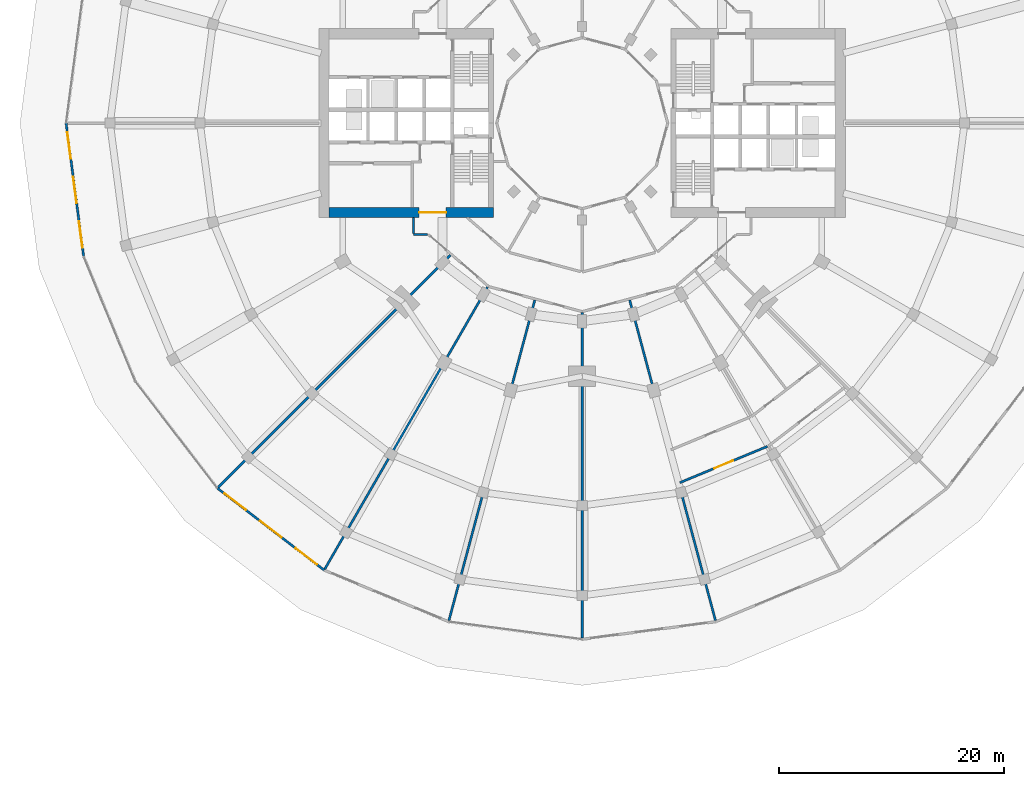
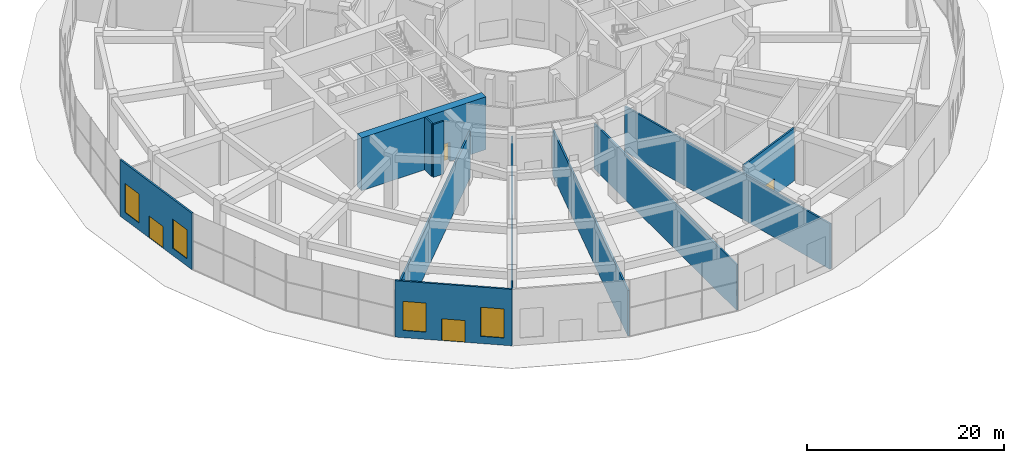
# One storey, part 22 of 31: 11 walls, 4 doors, 4 windows, 8 openings.
"""IFC4 building model written with IfcOpenShell, lengths in metres."""

from ifc_helpers import new_model, si_unit, direction, frame, frame_2d, origin, place, context, subcontext, project, spatial, rectangle, extrude, material, layer, layer_set, type_object, element, fill, save


model = new_model("IFC4")

# Units and contexts
model_context = context("Model", 3, precision=1e-05, world=origin(), true_north=direction((0.0, 1.0)))
body_context = subcontext(model_context, "Body", "Model", "MODEL_VIEW")
ifc_project = project(units=[si_unit("LENGTHUNIT", "METRE"), si_unit("AREAUNIT", "SQUARE_METRE"), si_unit("VOLUMEUNIT", "CUBIC_METRE"), si_unit("PLANEANGLEUNIT", "RADIAN"), si_unit("MASSUNIT", "GRAM", prefix="KILO")], contexts=[model_context])

# Site, building, storey
site_placement = place(None, origin())
site = spatial("IfcSite", under=ifc_project, at=site_placement, CompositionType="ELEMENT")
building_placement = place(site_placement, origin())
building = spatial("IfcBuilding", under=site, at=building_placement, Name="Torre Brocal", CompositionType="ELEMENT")
storey_placement = place(building_placement, origin())
storey = spatial("IfcBuildingStorey", under=building, at=storey_placement, Name="L00", CompositionType="ELEMENT", Elevation=0.0)

# Wall, opening, door
ifc_material_1 = material(Name="Concrete C80", Category="concrete")
ifc_layer_1 = layer(ifc_material_1, 0.89990234375)
ifc_layer_set_1 = layer_set([ifc_layer_1], Name="Concrete C80")
wall_type_1 = type_object("IfcWallType", Name="CORE WALL 900 C80 UNDER 450 SLAB", PredefinedType="SHEAR", material=ifc_layer_set_1)
wall_1_placement = place(storey_placement, frame((72.10009765625, 67.050048828125, 0.0), z_axis=(0.0, 0.0, 1.0), x_axis=(-1.0, 0.0, 0.0)))
wall_1 = element("IfcWall", 1, at=wall_1_placement, inside=storey, type_object=wall_type_1, Name="Wall CW900-80-S450", PredefinedType="SHEAR", context=body_context, shape_type="SweptSolid", body=[
    extrude(rectangle(XDim=14.60009765625, YDim=0.89990234375, at=frame_2d((7.300048828125, 0.0))), origin(), (0.0, 0.0, 1.0), 6.550048828125),
])
opening_1_placement = place(wall_1_placement, frame((4.199951171875, 0.0, 0.0)))
opening_1 = element("IfcOpeningElement", 2, at=opening_1_placement, cuts=wall_1, Name="Opening W-D27", PredefinedType="OPENING", context=body_context, shape_type="SweptSolid", body=[
    extrude(rectangle(XDim=2.39990234375, YDim=2.39990234375, at=frame_2d((1.199951171875, 1.199951171875))), frame((0.0, 0.4599609375, 0.0), z_axis=(0.0, -1.0, 0.0), x_axis=(1.0, 0.0, 0.0)), (0.0, 0.0, 1.0), 0.919921875),
])
ifc_material_2 = material(Name="Steel A653", Category="steel")
door_type_1 = type_object("IfcDoorType", Name="DOUBLE FIRE DOOR FD90 2400X2400", OperationType="DOUBLE_DOOR_SINGLE_SWING", PredefinedType="DOOR", material=ifc_material_2)
door_1_placement = place(opening_1_placement, frame((2.39990234375, 0.0, 0.0), z_axis=(0.0, 0.0, 1.0), x_axis=(-1.0, 0.0, 0.0)))
door_1 = element("IfcDoor", 3, at=door_1_placement, inside=storey, type_object=door_type_1, Name="Door W-D27", OperationType="DOUBLE_DOOR_SINGLE_SWING", OverallHeight=2.39990234375, OverallWidth=2.39990234375, PredefinedType="DOOR", context=body_context, shape_type="SweptSolid", body=[
    extrude(rectangle(XDim=2.39990234375, YDim=2.39990234375, at=frame_2d((1.199951171875, 1.199951171875))), frame((0.0, 0.02490234375, 0.0), z_axis=(0.0, -1.0, 0.0), x_axis=(1.0, 0.0, 0.0)), (0.0, 0.0, 1.0), 0.050048828125),
])
fill(opening_1, door_1)

# Wall, openings, door, windows
ifc_material_3 = material(Name="Concrete C40", Category="concrete")
ifc_layer_2 = layer(ifc_material_3, 0.199951171875)
ifc_layer_set_2 = layer_set([ifc_layer_2], Name="Concrete C40")
wall_type_2 = type_object("IfcWallType", Name="EXTERNAL WALL 200", PredefinedType="NOTDEFINED", material=ifc_layer_set_2)
wall_2_placement = place(storey_placement, frame((34.100830078125, 75.0, 0.0), z_axis=(0.0, 0.0, 1.0), x_axis=(0.130524612391, -0.991445069361, 0.0)))
wall_2 = element("IfcWall", 4, at=wall_2_placement, inside=storey, type_object=wall_type_2, Name="EXTERNAL WALL", PredefinedType="NOTDEFINED", context=body_context, shape_type="SweptSolid", body=[
    extrude(rectangle(XDim=11.982177734375, YDim=0.199951171875, at=frame_2d((5.9912109375, 0.0))), origin(), (0.0, 0.0, 1.0), 7.0),
])
opening_2_placement = place(wall_2_placement, frame((0.797119140625, 0.0, 0.89990234375)))
opening_2 = element("IfcOpeningElement", 5, at=opening_2_placement, cuts=wall_2, Name="Opening W5", PredefinedType="OPENING", context=body_context, shape_type="SweptSolid", body=[
    extrude(rectangle(XDim=2.39990234375, YDim=3.60009765625, at=frame_2d((1.199951171875, 1.800048828125))), frame((0.0, 0.10986328125, 0.0), z_axis=(0.0, -1.0, 0.0), x_axis=(1.0, 0.0, 0.0)), (0.0, 0.0, 1.0), 0.219970703125),
])
opening_3_placement = place(wall_2_placement, frame((4.791015625, 0.0, 0.0)))
opening_3 = element("IfcOpeningElement", 6, at=opening_3_placement, cuts=wall_2, Name="Opening L00-E06", PredefinedType="OPENING", context=body_context, shape_type="SweptSolid", body=[
    extrude(rectangle(XDim=2.39990234375, YDim=2.699951171875, at=frame_2d((1.199951171875, 1.35009765625))), frame((0.0, 0.10986328125, 0.0), z_axis=(0.0, -1.0, 0.0), x_axis=(1.0, 0.0, 0.0)), (0.0, 0.0, 1.0), 0.219970703125),
])
opening_4_placement = place(wall_2_placement, frame((8.78515625, 0.0, 0.89990234375)))
opening_4 = element("IfcOpeningElement", 7, at=opening_4_placement, cuts=wall_2, Name="Opening W5", PredefinedType="OPENING", context=body_context, shape_type="SweptSolid", body=[
    extrude(rectangle(XDim=2.39990234375, YDim=3.60009765625, at=frame_2d((1.199951171875, 1.800048828125))), frame((0.0, 0.10986328125, 0.0), z_axis=(0.0, -1.0, 0.0), x_axis=(1.0, 0.0, 0.0)), (0.0, 0.0, 1.0), 0.219970703125),
])
ifc_material_4 = material(Name="Aluminium and glass", Category="aluminium")
door_type_2 = type_object("IfcDoorType", Name="ENTRANCE DOUBLE DOOR 2400X2700", OperationType="DOUBLE_DOOR_SINGLE_SWING", PredefinedType="DOOR", material=ifc_material_4)
door_2_placement = place(opening_3_placement, frame((2.39990234375, 0.0, 0.0), z_axis=(0.0, 0.0, 1.0), x_axis=(-1.0, 0.0, 0.0)))
door_2 = element("IfcDoor", 8, at=door_2_placement, inside=storey, type_object=door_type_2, Name="DOOR L00-E06", OperationType="DOUBLE_DOOR_SINGLE_SWING", OverallHeight=2.699951171875, OverallWidth=2.39990234375, PredefinedType="DOOR", context=body_context, shape_type="SweptSolid", body=[
    extrude(rectangle(XDim=2.39990234375, YDim=2.699951171875, at=frame_2d((1.199951171875, 1.35009765625))), frame((0.0, 0.02490234375, 0.0), z_axis=(0.0, -1.0, 0.0), x_axis=(1.0, 0.0, 0.0)), (0.0, 0.0, 1.0), 0.050048828125),
])
fill(opening_3, door_2)
ifc_material_5 = material(Name="Aluminium and glass", Category="aluminium")
window_type = type_object("IfcWindowType", Name="PODIUM WINDOW 2400X3600", PartitioningType="SINGLE_PANEL", PredefinedType="WINDOW", material=ifc_material_5)
window_1_placement = place(opening_2_placement, origin())
window_1 = element("IfcWindow", 9, at=window_1_placement, inside=storey, type_object=window_type, Name="PODIUM WINDOW 2400X3600", OverallHeight=3.60009765625, OverallWidth=2.39990234375, PartitioningType="SINGLE_PANEL", PredefinedType="WINDOW", context=body_context, shape_type="SweptSolid", body=[
    extrude(rectangle(XDim=2.39990234375, YDim=3.60009765625, at=frame_2d((1.199951171875, 1.800048828125))), frame((0.0, 0.030029296875, 0.0), z_axis=(0.0, -1.0, 0.0), x_axis=(1.0, 0.0, 0.0)), (0.0, 0.0, 1.0), 0.06005859375),
])
fill(opening_2, window_1)
window_2_placement = place(opening_4_placement, origin())
window_2 = element("IfcWindow", 10, at=window_2_placement, inside=storey, type_object=window_type, Name="PODIUM WINDOW 2400X3600", OverallHeight=3.60009765625, OverallWidth=2.39990234375, PartitioningType="SINGLE_PANEL", PredefinedType="WINDOW", context=body_context, shape_type="SweptSolid", body=[
    extrude(rectangle(XDim=2.39990234375, YDim=3.60009765625, at=frame_2d((1.199951171875, 1.800048828125))), frame((0.0, 0.030029296875, 0.0), z_axis=(0.0, -1.0, 0.0), x_axis=(1.0, 0.0, 0.0)), (0.0, 0.0, 1.0), 0.06005859375),
])
fill(opening_4, window_2)

wall_3_placement = place(storey_placement, frame((47.54443359375, 42.54443359375, 0.0), z_axis=(0.0, 0.0, 1.0), x_axis=(0.793357384068, -0.608756159021, 0.0)))
wall_3 = element("IfcWall", 11, at=wall_3_placement, inside=storey, type_object=wall_type_2, Name="EXTERNAL WALL", PredefinedType="NOTDEFINED", context=body_context, shape_type="SweptSolid", body=[
    extrude(rectangle(XDim=11.982177734375, YDim=0.199951171875, at=frame_2d((5.9912109375, 0.0))), origin(), (0.0, 0.0, 1.0), 7.0),
])
opening_5_placement = place(wall_3_placement, frame((0.797119140625, 0.0, 0.89990234375)))
opening_5 = element("IfcOpeningElement", 12, at=opening_5_placement, cuts=wall_3, Name="Opening W5", PredefinedType="OPENING", context=body_context, shape_type="SweptSolid", body=[
    extrude(rectangle(XDim=2.39990234375, YDim=3.60009765625, at=frame_2d((1.199951171875, 1.800048828125))), frame((0.0, 0.10986328125, 0.0), z_axis=(0.0, -1.0, 0.0), x_axis=(1.0, 0.0, 0.0)), (0.0, 0.0, 1.0), 0.219970703125),
])
opening_6_placement = place(wall_3_placement, frame((4.791015625, 0.0, 0.0)))
opening_6 = element("IfcOpeningElement", 13, at=opening_6_placement, cuts=wall_3, Name="Opening L00-E07", PredefinedType="OPENING", context=body_context, shape_type="SweptSolid", body=[
    extrude(rectangle(XDim=2.39990234375, YDim=2.699951171875, at=frame_2d((1.199951171875, 1.35009765625))), frame((0.0, 0.10986328125, 0.0), z_axis=(0.0, -1.0, 0.0), x_axis=(1.0, 0.0, 0.0)), (0.0, 0.0, 1.0), 0.219970703125),
])
opening_7_placement = place(wall_3_placement, frame((8.78515625, 0.0, 0.89990234375)))
opening_7 = element("IfcOpeningElement", 14, at=opening_7_placement, cuts=wall_3, Name="Opening W5", PredefinedType="OPENING", context=body_context, shape_type="SweptSolid", body=[
    extrude(rectangle(XDim=2.39990234375, YDim=3.60009765625, at=frame_2d((1.199951171875, 1.800048828125))), frame((0.0, 0.10986328125, 0.0), z_axis=(0.0, -1.0, 0.0), x_axis=(1.0, 0.0, 0.0)), (0.0, 0.0, 1.0), 0.219970703125),
])
door_3_placement = place(opening_6_placement, frame((2.39990234375, 0.0, 0.0), z_axis=(0.0, 0.0, 1.0), x_axis=(-1.0, 0.0, 0.0)))
door_3 = element("IfcDoor", 15, at=door_3_placement, inside=storey, type_object=door_type_2, Name="DOOR L00-E07", OperationType="DOUBLE_DOOR_SINGLE_SWING", OverallHeight=2.699951171875, OverallWidth=2.39990234375, PredefinedType="DOOR", context=body_context, shape_type="SweptSolid", body=[
    extrude(rectangle(XDim=2.39990234375, YDim=2.699951171875, at=frame_2d((1.199951171875, 1.35009765625))), frame((0.0, 0.02490234375, 0.0), z_axis=(0.0, -1.0, 0.0), x_axis=(1.0, 0.0, 0.0)), (0.0, 0.0, 1.0), 0.050048828125),
])
fill(opening_6, door_3)
window_3_placement = place(opening_5_placement, origin())
window_3 = element("IfcWindow", 16, at=window_3_placement, inside=storey, type_object=window_type, Name="PODIUM WINDOW 2400X3600", OverallHeight=3.60009765625, OverallWidth=2.39990234375, PartitioningType="SINGLE_PANEL", PredefinedType="WINDOW", context=body_context, shape_type="SweptSolid", body=[
    extrude(rectangle(XDim=2.39990234375, YDim=3.60009765625, at=frame_2d((1.199951171875, 1.800048828125))), frame((0.0, 0.030029296875, 0.0), z_axis=(0.0, -1.0, 0.0), x_axis=(1.0, 0.0, 0.0)), (0.0, 0.0, 1.0), 0.06005859375),
])
fill(opening_5, window_3)
window_4_placement = place(opening_7_placement, origin())
window_4 = element("IfcWindow", 17, at=window_4_placement, inside=storey, type_object=window_type, Name="PODIUM WINDOW 2400X3600", OverallHeight=3.60009765625, OverallWidth=2.39990234375, PartitioningType="SINGLE_PANEL", PredefinedType="WINDOW", context=body_context, shape_type="SweptSolid", body=[
    extrude(rectangle(XDim=2.39990234375, YDim=3.60009765625, at=frame_2d((1.199951171875, 1.800048828125))), frame((0.0, 0.030029296875, 0.0), z_axis=(0.0, -1.0, 0.0), x_axis=(1.0, 0.0, 0.0)), (0.0, 0.0, 1.0), 0.06005859375),
])
fill(opening_7, window_4)

# Walls
ifc_material_6 = material(Name="Gypsum board", Category="Gypsum")
ifc_layer_3 = layer(ifc_material_6, 0.199951171875)
ifc_layer_set_3 = layer_set([ifc_layer_3], Name="Gypsum board")
wall_type_3 = type_object("IfcWallType", Name="PARTITION 200 EI60", PredefinedType="PARTITIONING", material=ifc_layer_set_3)
wall_4_placement = place(storey_placement, frame((65.0, 65.199951171875, 0.0), z_axis=(0.0, 0.0, 1.0), x_axis=(0.0, 1.0, 0.0)))
element("IfcWall", 18, at=wall_4_placement, inside=storey, type_object=wall_type_3, Name="CORRIDOR WALL", PredefinedType="PARTITIONING", context=body_context, shape_type="SweptSolid", body=[
    extrude(rectangle(XDim=1.399169921875, YDim=0.199951171875, at=frame_2d((0.69970703125, 0.0))), origin(), (0.0, 0.0, 1.0), 6.550048828125),
])
wall_5_placement = place(storey_placement, frame((65.0, 65.10009765625, 0.0), z_axis=(0.0, 0.0, 1.0), x_axis=(1.0, 0.0, 0.0)))
element("IfcWall", 19, at=wall_5_placement, inside=storey, type_object=wall_type_3, Name="CORRIDOR WALL", PredefinedType="PARTITIONING", context=body_context, shape_type="SweptSolid", body=[
    extrude(rectangle(XDim=1.241943359375, YDim=0.199951171875, at=frame_2d((0.62109375, 0.0))), origin(), (0.0, 0.0, 1.0), 6.550048828125),
])

# Wall, opening, door
wall_6_placement = place(storey_placement, frame((88.6787109375, 43.031005859375, 0.0), z_axis=(0.0, 0.0, 1.0), x_axis=(0.923882727898, 0.382675717927, 0.0)))
wall_6 = element("IfcWall", 20, at=wall_6_placement, inside=storey, type_object=wall_type_3, Name="CORRIDOR WALL", PredefinedType="PARTITIONING", context=body_context, shape_type="SweptSolid", body=[
    extrude(rectangle(XDim=8.431640625, YDim=0.199951171875, at=frame_2d((4.2158203125, 0.0))), origin(), (0.0, 0.0, 1.0), 6.550048828125),
])
opening_8_placement = place(wall_6_placement, frame((3.315673828125, 0.0, 0.0)))
opening_8 = element("IfcOpeningElement", 21, at=opening_8_placement, cuts=wall_6, Name="Opening PD0-D15", PredefinedType="OPENING", context=body_context, shape_type="SweptSolid", body=[
    extrude(rectangle(XDim=1.800048828125, YDim=2.10009765625, at=frame_2d((0.89990234375, 1.050048828125))), frame((0.0, 0.10986328125, 0.0), z_axis=(0.0, -1.0, 0.0), x_axis=(1.0, 0.0, 0.0)), (0.0, 0.0, 1.0), 0.219970703125),
])
ifc_material_7 = material(Name="Timber", Category="wood")
door_type_3 = type_object("IfcDoorType", Name="DOUBLE DOOR 1800X2100", OperationType="DOUBLE_DOOR_SINGLE_SWING", PredefinedType="DOOR", material=ifc_material_7)
door_4_placement = place(opening_8_placement, frame((1.800048828125, 0.0, 0.0), z_axis=(0.0, 0.0, 1.0), x_axis=(-1.0, 0.0, 0.0)))
door_4 = element("IfcDoor", 22, at=door_4_placement, inside=storey, type_object=door_type_3, Name="PD0-D15", OperationType="DOUBLE_DOOR_SINGLE_SWING", OverallHeight=2.10009765625, OverallWidth=1.800048828125, PredefinedType="DOOR", context=body_context, shape_type="SweptSolid", body=[
    extrude(rectangle(XDim=1.800048828125, YDim=2.10009765625, at=frame_2d((0.89990234375, 1.050048828125))), frame((0.0, 0.02490234375, 0.0), z_axis=(0.0, -1.0, 0.0), x_axis=(1.0, 0.0, 0.0)), (0.0, 0.0, 1.0), 0.050048828125),
])
fill(opening_8, door_4)

# Walls
ifc_material_8 = material(Name="Gypsum board", Category="Gypsum")
ifc_layer_4 = layer(ifc_material_8, 0.199951171875)
ifc_layer_set_4 = layer_set([ifc_layer_4], Name="Gypsum board")
wall_type_4 = type_object("IfcWallType", Name="PARTITION 200 EI60 UNDER BEAM 1350", PredefinedType="PARTITIONING", material=ifc_layer_set_4)
wall_7_placement = place(storey_placement, frame((47.615478515625, 42.615478515625, 0.0), z_axis=(0.0, 0.0, 1.0), x_axis=(0.707106781187, 0.707106781187, 0.0)))
element("IfcWall", 23, at=wall_7_placement, inside=storey, type_object=wall_type_4, Name="PARTY PARTITION", PredefinedType="PARTITIONING", context=body_context, shape_type="SweptSolid", body=[
    extrude(rectangle(XDim=29.203125, YDim=0.199951171875, at=frame_2d((14.6015625, 0.0))), origin(), (0.0, 0.0, 1.0), 5.64990234375),
])
wall_8_placement = place(storey_placement, frame((57.09912109375, 35.3388671875, 0.0), z_axis=(0.0, 0.0, 1.0), x_axis=(0.500039914135, 0.866002358122, 0.0)))
element("IfcWall", 24, at=wall_8_placement, inside=storey, type_object=wall_type_4, Name="PARTY PARTITION", PredefinedType="PARTITIONING", context=body_context, shape_type="SweptSolid", body=[
    extrude(rectangle(XDim=28.957763671875, YDim=0.199951171875, at=frame_2d((14.47900390625, 0.0))), origin(), (0.0, 0.0, 1.0), 5.64990234375),
])
wall_9_placement = place(storey_placement, frame((68.142333984375, 30.763916015625, 0.0), z_axis=(0.0, 0.0, 1.0), x_axis=(0.258909634149, 0.965901548474, 0.0)))
element("IfcWall", 25, at=wall_9_placement, inside=storey, type_object=wall_type_4, Name="PARTY PARTITION", PredefinedType="PARTITIONING", context=body_context, shape_type="SweptSolid", body=[
    extrude(rectangle(XDim=29.5087890625, YDim=0.199951171875, at=frame_2d((14.75439453125, 0.0))), origin(), (0.0, 0.0, 1.0), 5.64990234375),
])
wall_10_placement = place(storey_placement, frame((80.0, 29.201904296875, 0.0), z_axis=(0.0, 0.0, 1.0), x_axis=(0.0, 1.0, 0.0)))
element("IfcWall", 26, at=wall_10_placement, inside=storey, type_object=wall_type_4, Name="PARTY PARTITION", PredefinedType="PARTITIONING", context=body_context, shape_type="SweptSolid", body=[
    extrude(rectangle(XDim=28.947998046875, YDim=0.199951171875, at=frame_2d((14.47412109375, 0.0))), origin(), (0.0, 0.0, 1.0), 5.64990234375),
])
wall_11_placement = place(storey_placement, frame((84.21630859375, 59.265380859375, 0.0), z_axis=(0.0, 0.0, 1.0), x_axis=(0.258760898943, -0.96594140463, 0.0)))
element("IfcWall", 27, at=wall_11_placement, inside=storey, type_object=wall_type_4, Name="CORRIDOR WALL", PredefinedType="PARTITIONING", context=body_context, shape_type="SweptSolid", body=[
    extrude(rectangle(XDim=29.5078125, YDim=0.199951171875, at=frame_2d((14.75390625, 0.0))), origin(), (0.0, 0.0, 1.0), 5.64990234375),
])

save(model, "model.ifc")
